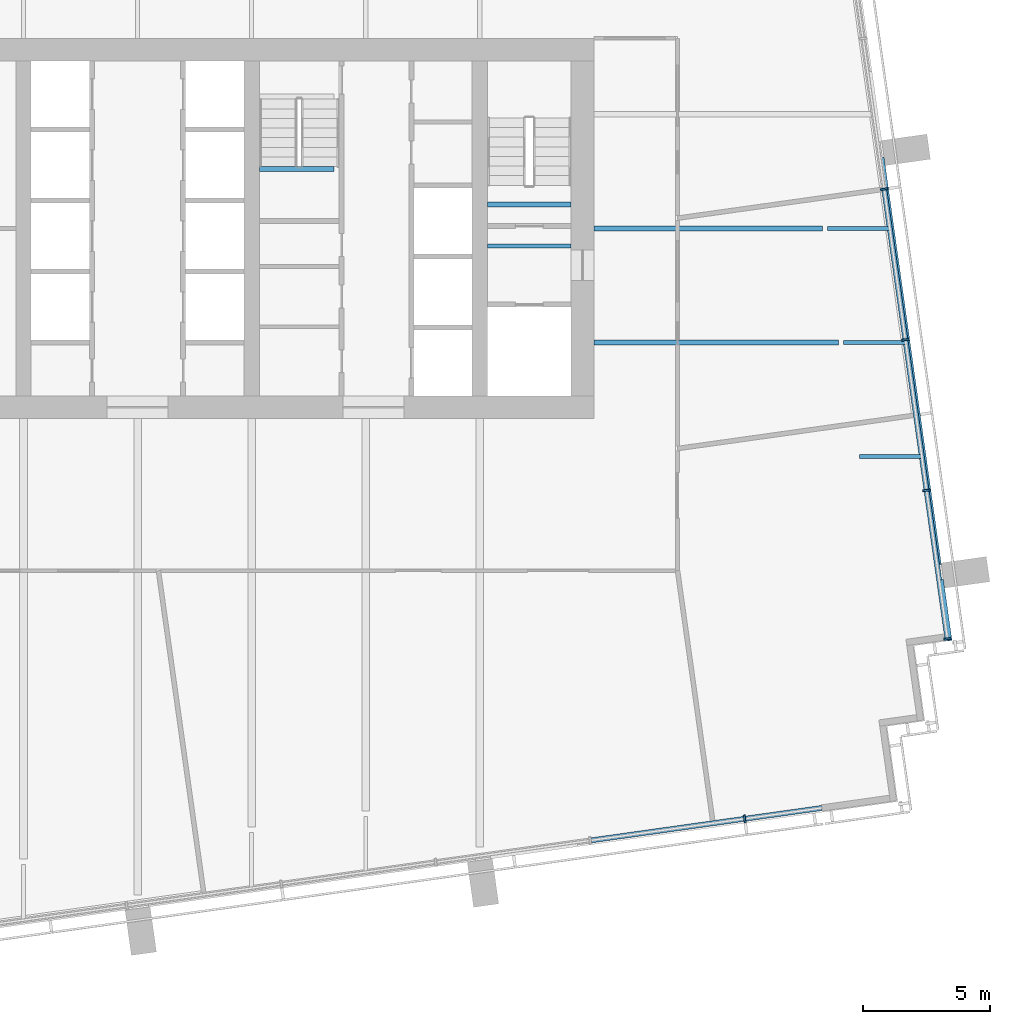
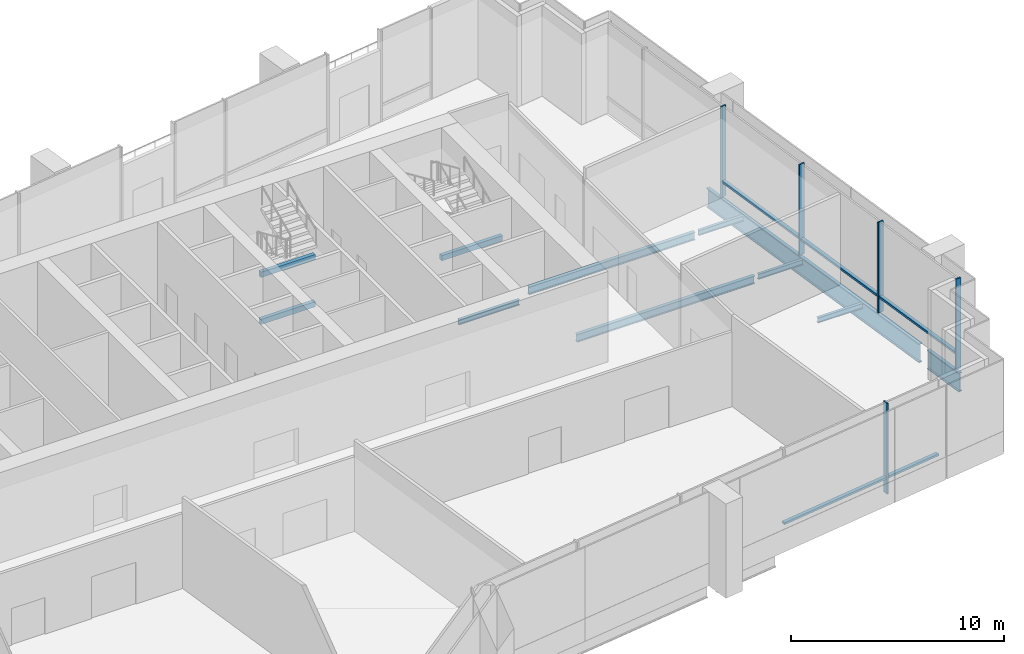
# One storey, part 3 of 18: 11 beams, 10 members, 2 elements without a shape of their own.
"""IFC4 building model written with IfcOpenShell, lengths in metres."""

from ifc_helpers import new_model, si_unit, direction, frame, origin, origin_2d, place, context, subcontext, project, spatial, rectangle, i_section, extrude, material, layer, layer_set, material_profile, profile_set, type_object, element, aggregate, save


model = new_model("IFC4")

# Units and contexts
model_context = context("Model", 3, precision=1e-05, world=origin(), true_north=direction((0.0, 1.0)))
body_context = subcontext(model_context, "Body", "Model", "MODEL_VIEW")
ifc_project = project(units=[si_unit("LENGTHUNIT", "METRE"), si_unit("AREAUNIT", "SQUARE_METRE"), si_unit("VOLUMEUNIT", "CUBIC_METRE"), si_unit("PLANEANGLEUNIT", "RADIAN"), si_unit("MASSUNIT", "GRAM", prefix="KILO")], contexts=[model_context])

# Site, building, storey
site_placement = place(None, origin())
site = spatial("IfcSite", under=ifc_project, at=site_placement, CompositionType="ELEMENT")
building_placement = place(site_placement, origin())
building = spatial("IfcBuilding", under=site, at=building_placement, Name="Rattan Terrace Tower", CompositionType="ELEMENT")
storey_placement = place(building_placement, frame((0.0, 0.0, 208.10009765625)))
storey = spatial("IfcBuildingStorey", under=building, at=storey_placement, Name="L47", CompositionType="ELEMENT", Elevation=208.10009765625)

# Beams
ifc_material_1 = material(Name="Concrete C40/50", Category="concrete")
ifc_material_profile_1 = material_profile(ifc_material_1, rectangle(XDim=0.199951171875, YDim=0.300048828125, at=origin_2d()), Name="RC 200x300")
ifc_profile_set_1 = profile_set([ifc_material_profile_1], Name="Concrete C40/50")
beam_type_1 = type_object("IfcBeamType", Name="Core landing beam RC 200x300", PredefinedType="BEAM", material=ifc_profile_set_1)
beam_1_placement = place(storey_placement, frame((13.800048828125, 0.949951171875, 2.349853515625), z_axis=(1.0, 0.0, 0.0), x_axis=(0.0, 1.0, 0.0)))
element("IfcBeam", 1, at=beam_1_placement, inside=storey, type_object=beam_type_1, Name="st-S2-L47 landing 2 edge beam", PredefinedType="BEAM", context=body_context, shape_type="SweptSolid", body=[
    extrude(rectangle(XDim=0.199951171875, YDim=0.300048828125, at=origin_2d()), origin(), (0.0, 0.0, 1.0), 3.300048828125),
])
for number, where, z_axis, x_axis, name in (
    (2, (4.800048828125, 2.340087890625, 1.0), (1.0, 0.0, 0.0), (0.0, 1.0, 0.0), "st-S3-L47 landing 1 edge beam"),
    (3, (4.800048828125, 2.340087890625, 3.699951171875), (1.0, 0.0, 0.0), (0.0, 1.0, 0.0), "st-S3-L47 landing 3 edge beam"),
):
    element("IfcBeam", number, at=place(storey_placement, frame(where, z_axis=z_axis, x_axis=x_axis)), inside=storey, type_object=beam_type_1, Name=name, PredefinedType="BEAM", context=body_context, shape_type="SweptSolid", body=[
        extrude(rectangle(XDim=0.199951171875, YDim=0.300048828125, at=origin_2d()), origin(), (0.0, 0.0, 1.0), 2.949951171875),
    ])
ifc_material_2 = material(Name="Steel S460", Category="steel")
ifc_material_profile_2 = material_profile(ifc_material_2, i_section(OverallWidth=0.179931640625, OverallDepth=1.10009765625, WebThickness=0.01611328125, FlangeThickness=0.050048828125, at=origin_2d()), Name="PG 1100x180-16-50")
ifc_profile_set_2 = profile_set([ifc_material_profile_2], Name="Steel S460")
beam_type_2 = type_object("IfcBeamType", Name="Frame edge girder PG 1100x180-16-50", PredefinedType="SPANDREL", material=ifc_profile_set_2)
beam_2_placement = place(storey_placement, frame((31.699951171875, -13.860107421875, -0.75), z_axis=(0.13895573633, -0.990298593022, 0.0), x_axis=(0.990298593022, 0.13895573633, 0.0)))
element("IfcBeam", 4, at=beam_2_placement, inside=storey, type_object=beam_type_2, Name="gdr-L47-005", PredefinedType="SPANDREL", context=body_context, shape_type="SweptSolid", body=[
    extrude(i_section(OverallWidth=0.179931640625, OverallDepth=1.10009765625, WebThickness=0.01611328125, FlangeThickness=0.050048828125, at=origin_2d()), origin(), (0.0, 0.0, 1.0), 2.42626953125),
])
beam_3_placement = place(storey_placement, frame((31.615966796875, -13.260009765625, -0.75), z_axis=(-0.139231304835, 0.990259886976, 0.0), x_axis=(-0.990259886976, -0.139231304835, 0.0)))
element("IfcBeam", 5, at=beam_3_placement, inside=storey, type_object=beam_type_2, Name="gdr-L47-006", PredefinedType="SPANDREL", context=body_context, shape_type="SweptSolid", body=[
    extrude(i_section(OverallWidth=0.179931640625, OverallDepth=1.10009765625, WebThickness=0.01611328125, FlangeThickness=0.050048828125, at=origin_2d()), origin(), (0.0, 0.0, 1.0), 16.218017578125),
])
ifc_material_3 = material(Name="Steel S355", Category="steel")
ifc_material_profile_3 = material_profile(ifc_material_3, i_section(OverallWidth=0.14990234375, OverallDepth=0.300048828125, WebThickness=0.007080078125, FlangeThickness=0.0107421875, FilletRadius=0.014892578125, at=origin_2d()), Name="IPE 300")
ifc_profile_set_3 = profile_set([ifc_material_profile_3], Name="Steel S355")
beam_type_3 = type_object("IfcBeamType", Name="Frame floor beam IPE 300", PredefinedType="JOIST", material=ifc_profile_set_3)
beam_4_placement = place(storey_placement, frame((13.800048828125, -0.695068359375, -0.35009765625), z_axis=(1.0, 0.0, 0.0), x_axis=(0.0, 1.0, 0.0)))
element("IfcBeam", 6, at=beam_4_placement, inside=storey, type_object=beam_type_3, Name="bm-L47-002", PredefinedType="JOIST", context=body_context, shape_type="SweptSolid", body=[
    extrude(i_section(OverallWidth=0.14990234375, OverallDepth=0.300048828125, WebThickness=0.007080078125, FlangeThickness=0.0107421875, FilletRadius=0.014892578125, at=origin_2d()), origin(), (0.0, 0.0, 1.0), 3.300048828125),
])
beam_5_placement = place(storey_placement, frame((28.48388671875, -9.0, -0.35009765625), z_axis=(1.0, 0.0, 0.0), x_axis=(0.0, 1.0, 0.0)))
element("IfcBeam", 7, at=beam_5_placement, inside=storey, type_object=beam_type_3, Name="bm-L47-013", PredefinedType="JOIST", context=body_context, shape_type="SweptSolid", body=[
    extrude(i_section(OverallWidth=0.14990234375, OverallDepth=0.300048828125, WebThickness=0.007080078125, FlangeThickness=0.0107421875, FilletRadius=0.014892578125, at=origin_2d()), origin(), (0.0, 0.0, 1.0), 2.43212890625),
])
for number, where, z_axis, x_axis, name in (
    (8, (27.85107421875, -4.5, -0.35009765625), (1.0, 0.0, 0.0), (0.0, 1.0, 0.0), "bm-L47-016"),
    (9, (27.218017578125, 0.0, -0.35009765625), (1.0, 0.0, 0.0), (0.0, 1.0, 0.0), "bm-L47-018"),
):
    element("IfcBeam", number, at=place(storey_placement, frame(where, z_axis=z_axis, x_axis=x_axis)), inside=storey, type_object=beam_type_3, Name=name, PredefinedType="JOIST", context=body_context, shape_type="SweptSolid", body=[
        extrude(i_section(OverallWidth=0.14990234375, OverallDepth=0.300048828125, WebThickness=0.007080078125, FlangeThickness=0.0107421875, FilletRadius=0.014892578125, at=origin_2d()), origin(), (0.0, 0.0, 1.0), 2.431884765625),
    ])
ifc_material_4 = material(Name="Steel S355", Category="steel")
ifc_material_profile_4 = material_profile(ifc_material_4, i_section(OverallWidth=0.18994140625, OverallDepth=0.449951171875, WebThickness=0.009521484375, FlangeThickness=0.0146484375, FilletRadius=0.02099609375, at=origin_2d()), Name="IPE 450")
ifc_profile_set_4 = profile_set([ifc_material_profile_4], Name="Steel S355")
beam_type_4 = type_object("IfcBeamType", Name="Frame floor beam IPE 450", PredefinedType="JOIST", material=ifc_profile_set_4)
beam_6_placement = place(storey_placement, frame((18.0, -4.5, -0.425048828125), z_axis=(1.0, 0.0, 0.0), x_axis=(0.0, 1.0, 0.0)))
element("IfcBeam", 10, at=beam_6_placement, inside=storey, type_object=beam_type_4, Name="bm-L47-015", PredefinedType="JOIST", context=body_context, shape_type="SweptSolid", body=[
    extrude(i_section(OverallWidth=0.18994140625, OverallDepth=0.449951171875, WebThickness=0.009521484375, FlangeThickness=0.0146484375, FilletRadius=0.02099609375, at=origin_2d()), origin(), (0.0, 0.0, 1.0), 9.64501953125),
])
beam_7_placement = place(storey_placement, frame((18.0, 0.0, -0.425048828125), z_axis=(1.0, 0.0, 0.0), x_axis=(0.0, 1.0, 0.0)))
element("IfcBeam", 11, at=beam_7_placement, inside=storey, type_object=beam_type_4, Name="bm-L47-017", PredefinedType="JOIST", context=body_context, shape_type="SweptSolid", body=[
    extrude(i_section(OverallWidth=0.18994140625, OverallDepth=0.449951171875, WebThickness=0.009521484375, FlangeThickness=0.0146484375, FilletRadius=0.02099609375, at=origin_2d()), origin(), (0.0, 0.0, 1.0), 9.012939453125),
])

# Curtain wall, members
ifc_material_5 = material(Name="Steel fins, aluminium and glass", Category="steel")
ifc_layer = layer(ifc_material_5, 0.300048828125)
ifc_layer_set = layer_set([ifc_layer], Name="Sky Lobby Stick Curtain Wall")
curtain_wall_type = type_object("IfcCurtainWallType", Name="Sky Lobby Stick Curtain Wall", PredefinedType="NOTDEFINED", material=ifc_layer_set)
curtain_wall_1_placement = place(storey_placement, origin())
curtain_wall_1 = element("IfcCurtainWall", 12, at=curtain_wall_1_placement, inside=storey, type_object=curtain_wall_type, Name="Sky lobby curtain wall L47-1", PredefinedType="NOTDEFINED")
ifc_material_6 = material(Name="Steel S355", Category="steel")
ifc_material_profile_5 = material_profile(ifc_material_6, rectangle(XDim=0.080078125, YDim=0.300048828125, at=origin_2d()), Name="Steel S355 80x300")
ifc_profile_set_5 = profile_set([ifc_material_profile_5], Name="Steel S355")
member_type_1 = type_object("IfcMemberType", Name="Sky Lobby CW Fin 80x300", PredefinedType="MULLION", material=ifc_profile_set_5)
member_1_placement = place(storey_placement, frame((31.94580078125, -16.189453125, 0.0), z_axis=(0.0, 0.0, 1.0), x_axis=(-0.139186165309, 0.990266232579, 0.0)))
member_1 = element("IfcMember", 13, at=member_1_placement, type_object=member_type_1, Name="Mullion cwl-L47-001.1", PredefinedType="MULLION", context=body_context, shape_type="SweptSolid", body=[
    extrude(rectangle(XDim=0.080078125, YDim=0.300048828125, at=origin_2d()), origin(), (0.0, 0.0, 1.0), 5.199951171875),
])
member_2_placement = place(storey_placement, frame((31.12255859375, -10.33203125, 0.0), z_axis=(0.0, 0.0, 1.0), x_axis=(-0.139186165309, 0.990266232579, 0.0)))
member_2 = element("IfcMember", 14, at=member_2_placement, type_object=member_type_1, Name="Mullion cwl-L47-001.2", PredefinedType="MULLION", context=body_context, shape_type="SweptSolid", body=[
    extrude(rectangle(XDim=0.080078125, YDim=0.300048828125, at=origin_2d()), origin(), (0.0, 0.0, 1.0), 5.199951171875),
])
member_3_placement = place(storey_placement, frame((30.287353515625, -4.390380859375, 0.0), z_axis=(0.0, 0.0, 1.0), x_axis=(-0.139186165309, 0.990266232579, 0.0)))
member_3 = element("IfcMember", 15, at=member_3_placement, type_object=member_type_1, Name="Mullion cwl-L47-001.3", PredefinedType="MULLION", context=body_context, shape_type="SweptSolid", body=[
    extrude(rectangle(XDim=0.080078125, YDim=0.300048828125, at=origin_2d()), origin(), (0.0, 0.0, 1.0), 5.199951171875),
])
member_4_placement = place(storey_placement, frame((29.452392578125, 1.551025390625, 0.0), z_axis=(0.0, 0.0, 1.0), x_axis=(-0.139186165309, 0.990266232579, 0.0)))
member_4 = element("IfcMember", 16, at=member_4_placement, type_object=member_type_1, Name="Mullion cwl-L47-001.4", PredefinedType="MULLION", context=body_context, shape_type="SweptSolid", body=[
    extrude(rectangle(XDim=0.080078125, YDim=0.300048828125, at=origin_2d()), origin(), (0.0, 0.0, 1.0), 5.199951171875),
])

# Curtain wall, member
curtain_wall_2_placement = place(storey_placement, origin())
curtain_wall_2 = element("IfcCurtainWall", 17, at=curtain_wall_2_placement, inside=storey, type_object=curtain_wall_type, Name="Sky lobby curtain wall L47-8", PredefinedType="NOTDEFINED")
member_5_placement = place(storey_placement, frame((23.949951171875, -23.28662109375, 0.0), z_axis=(0.0, 0.0, 1.0), x_axis=(0.990267457022, 0.139177453499, 0.0)))
member_5 = element("IfcMember", 18, at=member_5_placement, type_object=member_type_1, Name="Mullion cwl-L47-008.7", PredefinedType="MULLION", context=body_context, shape_type="SweptSolid", body=[
    extrude(rectangle(XDim=0.080078125, YDim=0.300048828125, at=origin_2d()), origin(), (0.0, 0.0, 1.0), 5.199951171875),
])

# Member
ifc_material_7 = material(Name="Aluminium", Category="aluminium")
ifc_material_profile_6 = material_profile(ifc_material_7, rectangle(XDim=0.199951171875, YDim=0.1201171875, at=origin_2d()), Name="Aluminium 200x120")
ifc_profile_set_6 = profile_set([ifc_material_profile_6], Name="Aluminium")
member_type_2 = type_object("IfcMemberType", Name="Sky Lobby CW Transom 200x120", PredefinedType="USERDEFINED", material=ifc_profile_set_6)
member_6_placement = place(storey_placement, frame((31.940185546875, -16.14990234375, 0.89990234375), z_axis=(-0.139159951948, 0.990269916626, 0.0), x_axis=(-0.990269916626, -0.139159951948, 0.0)))
member_6 = element("IfcMember", 19, at=member_6_placement, type_object=member_type_2, Name="Transom cwl-L47-001.1", ObjectType="TRANSOM", PredefinedType="USERDEFINED", context=body_context, shape_type="SweptSolid", body=[
    extrude(rectangle(XDim=0.199951171875, YDim=0.1201171875, at=origin_2d()), origin(), (0.0, 0.0, 1.0), 5.835205078125),
])

member_7_placement = place(storey_placement, frame((31.116943359375, -10.29248046875, 0.89990234375), z_axis=(-0.139186587322, 0.990266173263, 0.0), x_axis=(-0.990266173263, -0.139186587322, 0.0)))
member_7 = element("IfcMember", 20, at=member_7_placement, type_object=member_type_2, Name="Transom cwl-L47-001.2", ObjectType="TRANSOM", PredefinedType="USERDEFINED", context=body_context, shape_type="SweptSolid", body=[
    extrude(rectangle(XDim=0.199951171875, YDim=0.1201171875, at=origin_2d()), origin(), (0.0, 0.0, 1.0), 5.919921875),
])

member_8_placement = place(storey_placement, frame((30.28173828125, -4.350830078125, 0.89990234375), z_axis=(-0.139186587322, 0.990266173263, 0.0), x_axis=(-0.990266173263, -0.139186587322, 0.0)))
member_8 = element("IfcMember", 21, at=member_8_placement, type_object=member_type_2, Name="Transom cwl-L47-001.3", ObjectType="TRANSOM", PredefinedType="USERDEFINED", context=body_context, shape_type="SweptSolid", body=[
    extrude(rectangle(XDim=0.199951171875, YDim=0.1201171875, at=origin_2d()), origin(), (0.0, 0.0, 1.0), 5.919921875),
])

aggregate(curtain_wall_1, [member_1, member_2, member_3, member_4, member_6, member_7, member_8])

member_9_placement = place(storey_placement, frame((17.8955078125, -24.1376953125, 0.89990234375), z_axis=(0.990265323966, 0.139192629658, 0.0), x_axis=(-0.139192629658, 0.990265323966, 0.0)))
member_9 = element("IfcMember", 22, at=member_9_placement, type_object=member_type_2, Name="Transom cwl-L47-008.6", ObjectType="TRANSOM", PredefinedType="USERDEFINED", context=body_context, shape_type="SweptSolid", body=[
    extrude(rectangle(XDim=0.199951171875, YDim=0.1201171875, at=origin_2d()), origin(), (0.0, 0.0, 1.0), 6.073974609375),
])

member_10_placement = place(storey_placement, frame((23.989501953125, -23.281005859375, 0.89990234375), z_axis=(0.990271823485, 0.139146381955, 0.0), x_axis=(-0.139146381955, 0.990271823485, 0.0)))
member_10 = element("IfcMember", 23, at=member_10_placement, type_object=member_type_2, Name="Transom cwl-L47-008.7", ObjectType="TRANSOM", PredefinedType="USERDEFINED", context=body_context, shape_type="SweptSolid", body=[
    extrude(rectangle(XDim=0.199951171875, YDim=0.1201171875, at=origin_2d()), origin(), (0.0, 0.0, 1.0), 3.035400390625),
])

aggregate(curtain_wall_2, [member_5, member_9, member_10])

save(model, "model.ifc")
